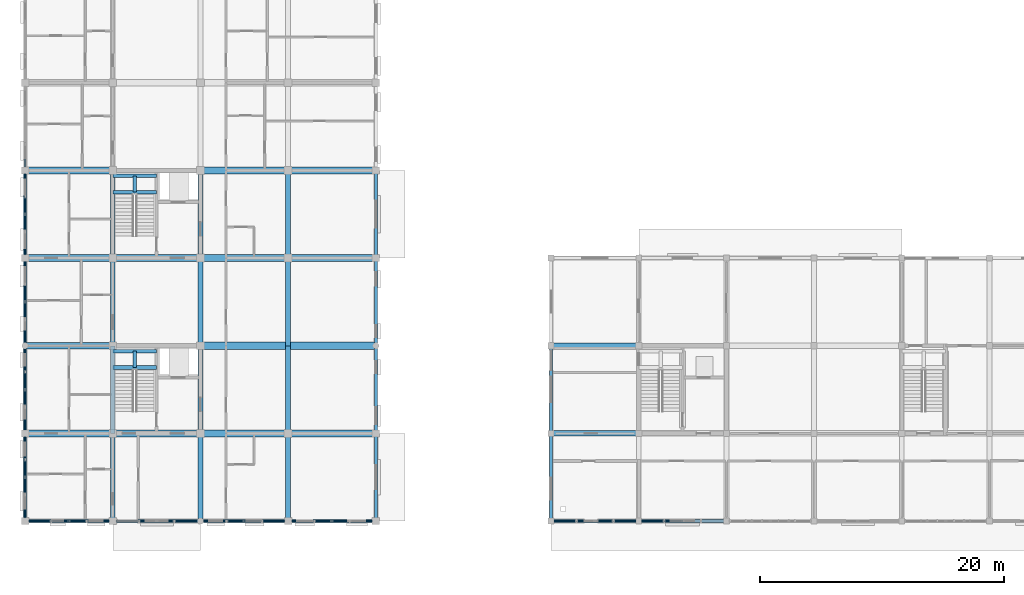
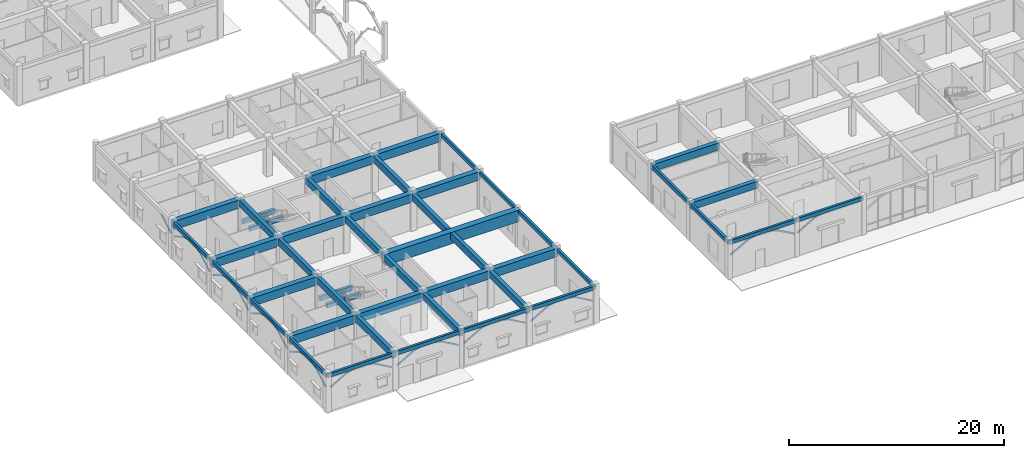
# One storey, part 14 of 138: 49 beams, 39 members.
"""IFC4 building model written with IfcOpenShell, lengths in metres."""

import ifcopenshell
import ifcopenshell.guid

model = None  # the IFC model being written
_history = None  # IfcOwnerHistory: only IFC2X3 demands one
_inside = {}  # id of a spatial element -> (the spatial element, [elements in it])
_under = {}  # id of a project, library or spatial element -> (it, [spatial elements below it])
_declared = {}  # id of a project -> (the project, [libraries it declares])
_typed = {}  # id of a type object -> (the type object, [elements of that type])
_made_of = {}  # id of a material, layer set ... -> (it, [elements and type objects made of it])


def new_model(schema):
    """Start an empty IFC model of exactly this schema.

    Asked for "IFC4X3", IfcOpenShell would pick the latest addendum, in which some entities
    have other attributes; the version numbers below select the first issue.
    IFC2X3 requires an IfcOwnerHistory on every rooted entity: one is made here for all.
    """
    global model, _history
    if schema == "IFC4X3":
        model = ifcopenshell.file(schema_version=(4, 3, 0, 0))
    else:
        model = ifcopenshell.file(schema=schema)
    _inside.clear()
    _under.clear()
    _declared.clear()
    _typed.clear()
    _made_of.clear()
    _history = None
    if model.schema == "IFC2X3":
        org = make("IfcOrganization", Name="unknown")
        user = make(
            "IfcPersonAndOrganization",
            ThePerson=make("IfcPerson", FamilyName="unknown"),
            TheOrganization=org,
        )
        app = make(
            "IfcApplication",
            ApplicationDeveloper=org,
            Version="unknown",
            ApplicationFullName="unknown",
            ApplicationIdentifier="unknown",
        )
        _history = make(
            "IfcOwnerHistory",
            OwningUser=user,
            OwningApplication=app,
            ChangeAction="ADDED",
            CreationDate=0,
        )
    return model


def make(cls, **values):
    """One entity of the class cls with the attributes given. An attribute that is None is left unset."""
    return model.create_entity(
        cls, **{name: value for name, value in values.items() if value is not None}
    )


def rooted(cls, **values):
    """An entity with a GlobalId (a new one), such as an element, a storey or a relation."""
    return make(cls, GlobalId=ifcopenshell.guid.new(), OwnerHistory=_history, **values)


def si_unit(unit_type, name, prefix=None):
    """IfcSIUnit, for example si_unit("LENGTHUNIT", "METRE", prefix="MILLI")."""
    return make("IfcSIUnit", UnitType=unit_type, Prefix=prefix, Name=name)


def assignment(units):
    """IfcUnitAssignment: the units of a project."""
    return None if units is None else make("IfcUnitAssignment", Units=units)


def point(xyz):
    """IfcCartesianPoint."""
    return None if xyz is None else make("IfcCartesianPoint", Coordinates=xyz)


def direction(xyz):
    """IfcDirection."""
    return None if xyz is None else make("IfcDirection", DirectionRatios=xyz)


def frame(location, z_axis=None, x_axis=None):
    """IfcAxis2Placement3D, a coordinate frame: its origin and axes. An axis left out is left unset."""
    return make(
        "IfcAxis2Placement3D",
        Location=point(location),
        Axis=direction(z_axis),
        RefDirection=direction(x_axis),
    )


def frame_2d(location, x_axis=None):
    """IfcAxis2Placement2D, a coordinate frame in the plane: its origin and x axis."""
    return make(
        "IfcAxis2Placement2D", Location=point(location), RefDirection=direction(x_axis)
    )


def origin():
    """The frame at (0, 0, 0) with its axes left unset."""
    return frame((0.0, 0.0, 0.0))


def origin_2d():
    """The frame at (0, 0) in the plane with its x axis left unset."""
    return frame_2d((0.0, 0.0))


def place(relative_to, where):
    """IfcLocalPlacement: puts the frame where relative to a parent placement (None: the world)."""
    return make(
        "IfcLocalPlacement", PlacementRelTo=relative_to, RelativePlacement=where
    )


def context(
    kind, dimensions, precision=None, world=None, true_north=None, identifier=None
):
    """IfcGeometricRepresentationContext, for example the 3D "Model" context."""
    return make(
        "IfcGeometricRepresentationContext",
        ContextIdentifier=identifier,
        ContextType=kind,
        CoordinateSpaceDimension=dimensions,
        Precision=precision,
        WorldCoordinateSystem=world,
        TrueNorth=true_north,
    )


def subcontext(parent, identifier, kind, view, scale=None):
    """IfcGeometricRepresentationSubContext, for example "Body" below "Model"."""
    return make(
        "IfcGeometricRepresentationSubContext",
        ContextIdentifier=identifier,
        ContextType=kind,
        ParentContext=parent,
        TargetScale=scale,
        TargetView=view,
    )


def project(units=None, contexts=None):
    """IfcProject with its units and contexts."""
    return rooted(
        "IfcProject",
        Name="project",
        RepresentationContexts=contexts,
        UnitsInContext=assignment(units),
    )


def spatial(cls, under=None, at=None, **own):
    """A site, building, storey or space (cls), placed at a placement, below another one or the project."""
    s = rooted(cls, ObjectPlacement=at, **own)
    if under is not None:
        _under.setdefault(under.id(), (under, []))[1].append(s)
    return s


def profile(cls, at=None, kind="AREA", **sizes):
    """A parametric profile (cls). Its sizes go by their IFC names, for example OverallWidth=200.0."""
    return make(cls, ProfileType=kind, Position=at, **sizes)


def rectangle(**sizes):
    """IfcRectangleProfileDef."""
    return profile("IfcRectangleProfileDef", **sizes)


def hollow_rectangle(**sizes):
    """IfcRectangleHollowProfileDef."""
    return profile("IfcRectangleHollowProfileDef", **sizes)


def extrude(swept, where, along, depth):
    """IfcExtrudedAreaSolid: the profile swept, set in the frame where, extruded along a direction by depth."""
    return make(
        "IfcExtrudedAreaSolid",
        SweptArea=swept,
        Position=where,
        ExtrudedDirection=direction(along),
        Depth=depth,
    )


def shape(context_of_items, identifier, shape_type, items):
    """IfcShapeRepresentation: the items that make up one representation, for example the "Body"."""
    return make(
        "IfcShapeRepresentation",
        ContextOfItems=context_of_items,
        RepresentationIdentifier=identifier,
        RepresentationType=shape_type,
        Items=items,
    )


def material(Name=None, Category=None):
    """IfcMaterial."""
    return make("IfcMaterial", Name=Name, Category=Category)


def material_profile(
    of_material, cross_section, Name=None, Category=None, Priority=None
):
    """IfcMaterialProfile: a cross section and its material."""
    return make(
        "IfcMaterialProfile",
        Name=Name,
        Material=of_material,
        Profile=cross_section,
        Priority=Priority,
        Category=Category,
    )


def profile_set(profiles, Name=None, composite=None):
    """IfcMaterialProfileSet."""
    return make(
        "IfcMaterialProfileSet",
        Name=Name,
        MaterialProfiles=profiles,
        CompositeProfile=composite,
    )


def made_of(thing, what):
    """Note that an element or type object is made of a material, layer set ...; save() writes the relation."""
    if what is not None:
        _made_of.setdefault(what.id(), (what, []))[1].append(thing)
    return thing


def type_object(cls, material=None, **own):
    """A type object (cls), such as IfcWallType, which elements share."""
    return made_of(rooted(cls, **own), material)


def element(
    cls,
    number,
    at=None,
    inside=None,
    cuts=None,
    type_object=None,
    material=None,
    context=None,
    identifier="Body",
    shape_type=None,
    held_by="IfcProductDefinitionShape",
    body=None,
    shapes=None,
    **own,
):
    """One element of the class cls, such as IfcWall. Its Tag is "e" and its number.

    at: its placement. inside: the storey or other place that contains it. cuts: it is an
    opening in that element (IfcRelVoidsElement). A single representation is given by context,
    identifier, shape_type and body (its items); several are given by shapes. held_by: the class
    of the entity that holds the representations. save() writes the other relations.
    """
    e = rooted(cls, Tag="e%d" % number, ObjectPlacement=at, **own)
    if body is not None:
        shapes = [shape(context, identifier, shape_type, body)]
    if shapes is not None:
        e.Representation = make(held_by, Representations=shapes)
    if inside is not None:
        _inside.setdefault(inside.id(), (inside, []))[1].append(e)
    if cuts is not None:
        rooted(
            "IfcRelVoidsElement", RelatingBuildingElement=cuts, RelatedOpeningElement=e
        )
    if type_object is not None:
        _typed.setdefault(type_object.id(), (type_object, []))[1].append(e)
    return made_of(e, material)


def aggregate(whole, parts):
    """IfcRelAggregates: a whole, such as a stair, and the parts it consists of."""
    return rooted("IfcRelAggregates", RelatingObject=whole, RelatedObjects=parts)


def save(model, path):
    """Write the relations noted so far, then the file.

    IfcRelAggregates (storeys below a building ...), IfcRelContainedInSpatialStructure (elements
    in a storey), IfcRelDefinesByType, IfcRelAssociatesMaterial and IfcRelDeclares: one each for
    every whole, place, type object, material and project.
    """
    for whole, parts in _under.values():
        aggregate(whole, parts)
    for where, things in _inside.values():
        rooted(
            "IfcRelContainedInSpatialStructure",
            RelatedElements=things,
            RelatingStructure=where,
        )
    for kind, things in _typed.values():
        rooted("IfcRelDefinesByType", RelatedObjects=things, RelatingType=kind)
    for what, things in _made_of.values():
        rooted("IfcRelAssociatesMaterial", RelatedObjects=things, RelatingMaterial=what)
    for by, libraries in _declared.values():
        rooted("IfcRelDeclares", RelatingContext=by, RelatedDefinitions=libraries)
    model.write(path)


model = new_model("IFC4")

# Units and contexts
model_context = context("Model", 3, precision=1e-05, world=origin(), true_north=direction((0.0, 1.0)))
body_context = subcontext(model_context, "Body", "Model", "MODEL_VIEW")
ifc_project = project(units=[si_unit("LENGTHUNIT", "METRE"), si_unit("AREAUNIT", "SQUARE_METRE"), si_unit("VOLUMEUNIT", "CUBIC_METRE"), si_unit("PLANEANGLEUNIT", "RADIAN"), si_unit("MASSUNIT", "GRAM", prefix="KILO"), si_unit("THERMODYNAMICTEMPERATUREUNIT", "KELVIN"), si_unit("POWERUNIT", "WATT")], contexts=[model_context])

# Site, building, storey
site_placement = place(None, origin())
site = spatial("IfcSite", under=ifc_project, at=site_placement, CompositionType="ELEMENT")
building_placement = place(site_placement, origin())
building = spatial("IfcBuilding", under=site, at=building_placement, Name="Tavuni Mirador Residences", CompositionType="ELEMENT")
storey_placement = place(building_placement, origin())
storey = spatial("IfcBuildingStorey", under=building, at=storey_placement, Name="L00", CompositionType="ELEMENT", Elevation=0.0)

# Beams
ifc_material_1 = material(Name="Precast concrete C40/50", Category="concrete")
ifc_material_profile_1 = material_profile(ifc_material_1, rectangle(XDim=0.300048828125, YDim=0.5, at=origin_2d()), Name="PC 300x500", Category="concrete")
ifc_profile_set_1 = profile_set([ifc_material_profile_1], Name="Precast concrete C40/50")
beam_type_1 = type_object("IfcBeamType", Name="BT-B500", PredefinedType="BEAM", material=ifc_profile_set_1)
for number, where, z_axis, x_axis, name in (
    (1, (10.800048828125, 19.820068359375, 1.820068359375), (1.0, 0.0, 0.0), (0.0, 1.0, 0.0), "HLB1-C1-L00"),
    (2, (10.800048828125, 21.14990234375, 1.820068359375), (1.0, 0.0, 0.0), (0.0, 1.0, 0.0), "HLB2-C1-L00"),
):
    element("IfcBeam", number, at=place(storey_placement, frame(where, z_axis=z_axis, x_axis=x_axis)), inside=storey, type_object=beam_type_1, Name=name, PredefinedType="BEAM", context=body_context, shape_type="SweptSolid", body=[
        extrude(rectangle(XDim=0.300048828125, YDim=0.5, at=origin_2d()), origin(), (0.0, 0.0, 1.0), 3.599853515625),
    ])
beam_1_placement = place(storey_placement, frame((12.60009765625, 19.820068359375, 1.820068359375), z_axis=(0.0, 1.0, 0.0), x_axis=(-1.0, 0.0, 0.0)))
element("IfcBeam", 3, at=beam_1_placement, inside=storey, type_object=beam_type_1, Name="HLB3-C1-L00", PredefinedType="BEAM", context=body_context, shape_type="SweptSolid", body=[
    extrude(rectangle(XDim=0.300048828125, YDim=0.5, at=origin_2d()), origin(), (0.0, 0.0, 1.0), 1.329833984375),
])
for number, where, z_axis, x_axis, name in (
    (4, (10.800048828125, 34.219970703125, 1.820068359375), (1.0, 0.0, 0.0), (0.0, 1.0, 0.0), "HLB1-C2-L00"),
    (5, (10.800048828125, 35.550048828125, 1.820068359375), (1.0, 0.0, 0.0), (0.0, 1.0, 0.0), "HLB2-C2-L00"),
):
    element("IfcBeam", number, at=place(storey_placement, frame(where, z_axis=z_axis, x_axis=x_axis)), inside=storey, type_object=beam_type_1, Name=name, PredefinedType="BEAM", context=body_context, shape_type="SweptSolid", body=[
        extrude(rectangle(XDim=0.300048828125, YDim=0.5, at=origin_2d()), origin(), (0.0, 0.0, 1.0), 3.599853515625),
    ])
beam_2_placement = place(storey_placement, frame((12.60009765625, 34.219970703125, 1.820068359375), z_axis=(0.0, 1.0, 0.0), x_axis=(-1.0, 0.0, 0.0)))
element("IfcBeam", 6, at=beam_2_placement, inside=storey, type_object=beam_type_1, Name="HLB3-C2-L00", PredefinedType="BEAM", context=body_context, shape_type="SweptSolid", body=[
    extrude(rectangle(XDim=0.300048828125, YDim=0.5, at=origin_2d()), origin(), (0.0, 0.0, 1.0), 1.330078125),
])
ifc_material_profile_2 = material_profile(ifc_material_1, rectangle(XDim=0.39990234375, YDim=0.75, at=origin_2d()), Name="RC 400x750", Category="concrete")
ifc_profile_set_2 = profile_set([ifc_material_profile_2], Name="Precast concrete C40/50")
beam_type_2 = type_object("IfcBeamType", Name="BT-G750", PredefinedType="USERDEFINED", material=ifc_profile_set_2)
beam_3_placement = place(storey_placement, frame((10.800048828125, 7.199951171875, 3.844970703125), z_axis=(0.0, 1.0, 0.0), x_axis=(-1.0, 0.0, 0.0)))
element("IfcBeam", 7, at=beam_3_placement, inside=storey, type_object=beam_type_2, Name="BMY-BLK-A-L00-01-00", ObjectType="GIRDER", PredefinedType="USERDEFINED", context=body_context, shape_type="SweptSolid", body=[
    extrude(rectangle(XDim=0.39990234375, YDim=0.75, at=origin_2d()), origin(), (0.0, 0.0, 1.0), 7.199951171875),
])
beam_4_placement = place(storey_placement, frame((10.800048828125, 14.39990234375, 3.844970703125), z_axis=(0.0, 1.0, 0.0), x_axis=(-1.0, 0.0, 0.0)))
element("IfcBeam", 8, at=beam_4_placement, inside=storey, type_object=beam_type_2, Name="BMY-BLK-A-L00-01-01", ObjectType="GIRDER", PredefinedType="USERDEFINED", context=body_context, shape_type="SweptSolid", body=[
    extrude(rectangle(XDim=0.39990234375, YDim=0.75, at=origin_2d()), origin(), (0.0, 0.0, 1.0), 7.2001953125),
])
for number, where, z_axis, x_axis, name in (
    (9, (10.800048828125, 21.60009765625, 3.844970703125), (0.0, 1.0, 0.0), (-1.0, 0.0, 0.0), "BMY-BLK-A-L00-01-02"),
    (10, (10.800048828125, 28.800048828125, 3.844970703125), (0.0, 1.0, 0.0), (-1.0, 0.0, 0.0), "BMY-BLK-A-L00-01-03"),
    (11, (18.0, 7.199951171875, 3.844970703125), (0.0, 1.0, 0.0), (-1.0, 0.0, 0.0), "BMY-BLK-A-L00-02-00"),
):
    element("IfcBeam", number, at=place(storey_placement, frame(where, z_axis=z_axis, x_axis=x_axis)), inside=storey, type_object=beam_type_2, Name=name, ObjectType="GIRDER", PredefinedType="USERDEFINED", context=body_context, shape_type="SweptSolid", body=[
        extrude(rectangle(XDim=0.39990234375, YDim=0.75, at=origin_2d()), origin(), (0.0, 0.0, 1.0), 7.199951171875),
    ])
beam_5_placement = place(storey_placement, frame((18.0, 14.39990234375, 3.844970703125), z_axis=(0.0, 1.0, 0.0), x_axis=(-1.0, 0.0, 0.0)))
element("IfcBeam", 12, at=beam_5_placement, inside=storey, type_object=beam_type_2, Name="BMY-BLK-A-L00-02-01", ObjectType="GIRDER", PredefinedType="USERDEFINED", context=body_context, shape_type="SweptSolid", body=[
    extrude(rectangle(XDim=0.39990234375, YDim=0.75, at=origin_2d()), origin(), (0.0, 0.0, 1.0), 7.2001953125),
])
for number, where, z_axis, x_axis, name in (
    (13, (18.0, 21.60009765625, 3.844970703125), (0.0, 1.0, 0.0), (-1.0, 0.0, 0.0), "BMY-BLK-A-L00-02-02"),
    (14, (18.0, 28.800048828125, 3.844970703125), (0.0, 1.0, 0.0), (-1.0, 0.0, 0.0), "BMY-BLK-A-L00-02-03"),
    (15, (25.199951171875, 7.199951171875, 3.844970703125), (0.0, 1.0, 0.0), (-1.0, 0.0, 0.0), "BMY-BLK-A-L00-03-00"),
):
    element("IfcBeam", number, at=place(storey_placement, frame(where, z_axis=z_axis, x_axis=x_axis)), inside=storey, type_object=beam_type_2, Name=name, ObjectType="GIRDER", PredefinedType="USERDEFINED", context=body_context, shape_type="SweptSolid", body=[
        extrude(rectangle(XDim=0.39990234375, YDim=0.75, at=origin_2d()), origin(), (0.0, 0.0, 1.0), 7.199951171875),
    ])
beam_6_placement = place(storey_placement, frame((25.199951171875, 14.39990234375, 3.844970703125), z_axis=(0.0, 1.0, 0.0), x_axis=(-1.0, 0.0, 0.0)))
element("IfcBeam", 16, at=beam_6_placement, inside=storey, type_object=beam_type_2, Name="BMY-BLK-A-L00-03-01", ObjectType="GIRDER", PredefinedType="USERDEFINED", context=body_context, shape_type="SweptSolid", body=[
    extrude(rectangle(XDim=0.39990234375, YDim=0.75, at=origin_2d()), origin(), (0.0, 0.0, 1.0), 7.2001953125),
])
for number, where, z_axis, x_axis, name in (
    (17, (25.199951171875, 21.60009765625, 3.844970703125), (0.0, 1.0, 0.0), (-1.0, 0.0, 0.0), "BMY-BLK-A-L00-03-02"),
    (18, (25.199951171875, 28.800048828125, 3.844970703125), (0.0, 1.0, 0.0), (-1.0, 0.0, 0.0), "BMY-BLK-A-L00-03-03"),
):
    element("IfcBeam", number, at=place(storey_placement, frame(where, z_axis=z_axis, x_axis=x_axis)), inside=storey, type_object=beam_type_2, Name=name, ObjectType="GIRDER", PredefinedType="USERDEFINED", context=body_context, shape_type="SweptSolid", body=[
        extrude(rectangle(XDim=0.39990234375, YDim=0.75, at=origin_2d()), origin(), (0.0, 0.0, 1.0), 7.199951171875),
    ])
ifc_material_profile_3 = material_profile(ifc_material_1, rectangle(XDim=0.449951171875, YDim=0.800048828125, at=origin_2d()), Name="RC 450x800", Category="concrete")
ifc_profile_set_3 = profile_set([ifc_material_profile_3], Name="Precast concrete C40/50")
beam_type_3 = type_object("IfcBeamType", Name="BT-G800", PredefinedType="USERDEFINED", material=ifc_profile_set_3)
for number, where, z_axis, x_axis, name in (
    (19, (46.800048828125, 14.39990234375, 3.860107421875), (1.0, 0.0, 0.0), (0.0, 1.0, 0.0), "BMX-PAV-SHOP-L00-00-01"),
    (20, (46.800048828125, 21.60009765625, 3.860107421875), (1.0, 0.0, 0.0), (0.0, 1.0, 0.0), "BMX-PAV-SHOP-L00-00-02"),
):
    element("IfcBeam", number, at=place(storey_placement, frame(where, z_axis=z_axis, x_axis=x_axis)), inside=storey, type_object=beam_type_3, Name=name, ObjectType="GIRDER", PredefinedType="USERDEFINED", context=body_context, shape_type="SweptSolid", body=[
        extrude(rectangle(XDim=0.449951171875, YDim=0.800048828125, at=origin_2d()), origin(), (0.0, 0.0, 1.0), 7.199951171875),
    ])
ifc_material_2 = material(Name="In-situ concrete C35/45", Category="concrete")
ifc_material_profile_4 = material_profile(ifc_material_2, rectangle(XDim=0.550048828125, YDim=0.949951171875, at=origin_2d()), Name="RC 550x950", Category="concrete")
ifc_profile_set_4 = profile_set([ifc_material_profile_4], Name="In-situ concrete C35/45")
beam_type_4 = type_object("IfcBeamType", Name="BT-G950", PredefinedType="USERDEFINED", material=ifc_profile_set_4)
for number, where, z_axis, x_axis, name in (
    (21, (3.60009765625, 14.39990234375, 3.7451171875), (1.0, 0.0, 0.0), (0.0, 1.0, 0.0), "BMX-BLK-A-L00-00-01"),
    (22, (10.800048828125, 14.39990234375, 3.7451171875), (1.0, 0.0, 0.0), (0.0, 1.0, 0.0), "BMX-BLK-A-L00-01-01"),
    (23, (18.0, 14.39990234375, 3.7451171875), (1.0, 0.0, 0.0), (0.0, 1.0, 0.0), "BMX-BLK-A-L00-02-01"),
    (24, (25.199951171875, 14.39990234375, 3.7451171875), (1.0, 0.0, 0.0), (0.0, 1.0, 0.0), "BMX-BLK-A-L00-03-01"),
    (25, (3.60009765625, 21.60009765625, 3.7451171875), (1.0, 0.0, 0.0), (0.0, 1.0, 0.0), "BMX-BLK-A-L00-00-02"),
    (26, (3.60009765625, 28.800048828125, 3.7451171875), (1.0, 0.0, 0.0), (0.0, 1.0, 0.0), "BMX-BLK-A-L00-00-03"),
    (27, (10.800048828125, 28.800048828125, 3.7451171875), (1.0, 0.0, 0.0), (0.0, 1.0, 0.0), "BMX-BLK-A-L00-01-03"),
    (28, (18.0, 28.800048828125, 3.7451171875), (1.0, 0.0, 0.0), (0.0, 1.0, 0.0), "BMX-BLK-A-L00-02-03"),
    (29, (25.199951171875, 28.800048828125, 3.7451171875), (1.0, 0.0, 0.0), (0.0, 1.0, 0.0), "BMX-BLK-A-L00-03-03"),
    (30, (3.60009765625, 36.0, 3.7451171875), (1.0, 0.0, 0.0), (0.0, 1.0, 0.0), "BMX-BLK-A-L00-00-04"),
    (31, (18.0, 36.0, 3.7451171875), (1.0, 0.0, 0.0), (0.0, 1.0, 0.0), "BMX-BLK-A-L00-02-04"),
    (32, (25.199951171875, 36.0, 3.7451171875), (1.0, 0.0, 0.0), (0.0, 1.0, 0.0), "BMX-BLK-A-L00-03-04"),
):
    element("IfcBeam", number, at=place(storey_placement, frame(where, z_axis=z_axis, x_axis=x_axis)), inside=storey, type_object=beam_type_4, Name=name, ObjectType="GIRDER", PredefinedType="USERDEFINED", context=body_context, shape_type="SweptSolid", body=[
        extrude(rectangle(XDim=0.550048828125, YDim=0.949951171875, at=origin_2d()), origin(), (0.0, 0.0, 1.0), 7.199951171875),
    ])
ifc_material_profile_5 = material_profile(ifc_material_1, rectangle(XDim=0.25, YDim=0.419921875, at=origin_2d()), Name="PC 250x420", Category="concrete")
ifc_profile_set_5 = profile_set([ifc_material_profile_5], Name="Precast concrete C40/50")
beam_type_5 = type_object("IfcBeamType", Name="BT-SP420", PredefinedType="SPANDREL", material=ifc_profile_set_5)
for number, where, z_axis, x_axis, name in (
    (33, (3.60009765625, 7.199951171875, 4.010009765625), (1.0, 0.0, 0.0), (0.0, 1.0, 0.0), "BMX-BLK-A-L00-00-00"),
    (34, (10.800048828125, 7.199951171875, 4.010009765625), (1.0, 0.0, 0.0), (0.0, 1.0, 0.0), "BMX-BLK-A-L00-01-00"),
    (35, (18.0, 7.199951171875, 4.010009765625), (1.0, 0.0, 0.0), (0.0, 1.0, 0.0), "BMX-BLK-A-L00-02-00"),
    (36, (25.199951171875, 7.199951171875, 4.010009765625), (1.0, 0.0, 0.0), (0.0, 1.0, 0.0), "BMX-BLK-A-L00-03-00"),
    (37, (3.60009765625, 7.199951171875, 4.010009765625), (0.0, 1.0, 0.0), (-1.0, 0.0, 0.0), "BMY-BLK-A-L00-00-00"),
):
    element("IfcBeam", number, at=place(storey_placement, frame(where, z_axis=z_axis, x_axis=x_axis)), inside=storey, type_object=beam_type_5, Name=name, PredefinedType="SPANDREL", context=body_context, shape_type="SweptSolid", body=[
        extrude(rectangle(XDim=0.25, YDim=0.419921875, at=origin_2d()), origin(), (0.0, 0.0, 1.0), 7.199951171875),
    ])
beam_7_placement = place(storey_placement, frame((3.60009765625, 14.39990234375, 4.010009765625), z_axis=(0.0, 1.0, 0.0), x_axis=(-1.0, 0.0, 0.0)))
element("IfcBeam", 38, at=beam_7_placement, inside=storey, type_object=beam_type_5, Name="BMY-BLK-A-L00-00-01", PredefinedType="SPANDREL", context=body_context, shape_type="SweptSolid", body=[
    extrude(rectangle(XDim=0.25, YDim=0.419921875, at=origin_2d()), origin(), (0.0, 0.0, 1.0), 7.2001953125),
])
for number, where, z_axis, x_axis, name in (
    (39, (3.60009765625, 21.60009765625, 4.010009765625), (0.0, 1.0, 0.0), (-1.0, 0.0, 0.0), "BMY-BLK-A-L00-00-02"),
    (40, (3.60009765625, 28.800048828125, 4.010009765625), (0.0, 1.0, 0.0), (-1.0, 0.0, 0.0), "BMY-BLK-A-L00-00-03"),
    (41, (32.39990234375, 7.199951171875, 4.010009765625), (0.0, 1.0, 0.0), (-1.0, 0.0, 0.0), "BMY-BLK-A-L00-04-00"),
):
    element("IfcBeam", number, at=place(storey_placement, frame(where, z_axis=z_axis, x_axis=x_axis)), inside=storey, type_object=beam_type_5, Name=name, PredefinedType="SPANDREL", context=body_context, shape_type="SweptSolid", body=[
        extrude(rectangle(XDim=0.25, YDim=0.419921875, at=origin_2d()), origin(), (0.0, 0.0, 1.0), 7.199951171875),
    ])
beam_8_placement = place(storey_placement, frame((32.39990234375, 14.39990234375, 4.010009765625), z_axis=(0.0, 1.0, 0.0), x_axis=(-1.0, 0.0, 0.0)))
element("IfcBeam", 42, at=beam_8_placement, inside=storey, type_object=beam_type_5, Name="BMY-BLK-A-L00-04-01", PredefinedType="SPANDREL", context=body_context, shape_type="SweptSolid", body=[
    extrude(rectangle(XDim=0.25, YDim=0.419921875, at=origin_2d()), origin(), (0.0, 0.0, 1.0), 7.2001953125),
])
for number, where, z_axis, x_axis, name in (
    (43, (32.39990234375, 21.60009765625, 4.010009765625), (0.0, 1.0, 0.0), (-1.0, 0.0, 0.0), "BMY-BLK-A-L00-04-02"),
    (44, (32.39990234375, 28.800048828125, 4.010009765625), (0.0, 1.0, 0.0), (-1.0, 0.0, 0.0), "BMY-BLK-A-L00-04-03"),
    (45, (46.800048828125, 7.199951171875, 4.050048828125), (1.0, 0.0, 0.0), (0.0, 1.0, 0.0), "BMX-PAV-SHOP-L00-00-00"),
    (46, (54.0, 7.199951171875, 4.050048828125), (1.0, 0.0, 0.0), (0.0, 1.0, 0.0), "BMX-PAV-SHOP-L00-01-00"),
    (47, (46.800048828125, 7.199951171875, 4.050048828125), (0.0, 1.0, 0.0), (-1.0, 0.0, 0.0), "BMY-PAV-SHOP-L00-00-00"),
):
    element("IfcBeam", number, at=place(storey_placement, frame(where, z_axis=z_axis, x_axis=x_axis)), inside=storey, type_object=beam_type_5, Name=name, PredefinedType="SPANDREL", context=body_context, shape_type="SweptSolid", body=[
        extrude(rectangle(XDim=0.25, YDim=0.419921875, at=origin_2d()), origin(), (0.0, 0.0, 1.0), 7.199951171875),
    ])
beam_9_placement = place(storey_placement, frame((46.800048828125, 14.39990234375, 4.050048828125), z_axis=(0.0, 1.0, 0.0), x_axis=(-1.0, 0.0, 0.0)))
element("IfcBeam", 48, at=beam_9_placement, inside=storey, type_object=beam_type_5, Name="BMY-PAV-SHOP-L00-00-01", PredefinedType="SPANDREL", context=body_context, shape_type="SweptSolid", body=[
    extrude(rectangle(XDim=0.25, YDim=0.419921875, at=origin_2d()), origin(), (0.0, 0.0, 1.0), 7.2001953125),
])
ifc_material_profile_6 = material_profile(ifc_material_2, rectangle(XDim=0.64990234375, YDim=1.300048828125, at=origin_2d()), Name="RC 650x1300", Category="concrete")
ifc_profile_set_6 = profile_set([ifc_material_profile_6], Name="In-situ concrete C35/45")
beam_type_6 = type_object("IfcBeamType", Name="BT-TG1300", PredefinedType="USERDEFINED", material=ifc_profile_set_6)
beam_10_placement = place(storey_placement, frame((18.0, 21.60009765625, 3.570068359375), z_axis=(1.0, 0.0, 0.0), x_axis=(0.0, 1.0, 0.0)))
element("IfcBeam", 49, at=beam_10_placement, inside=storey, type_object=beam_type_6, Name="Transfer girder TG-A1", ObjectType="GIRDER", PredefinedType="USERDEFINED", context=body_context, shape_type="SweptSolid", body=[
    extrude(rectangle(XDim=0.64990234375, YDim=1.300048828125, at=origin_2d()), origin(), (0.0, 0.0, 1.0), 14.39990234375),
])

# Members
ifc_material_3 = material(Name="Structural steel S355", Category="steel")
ifc_material_profile_7 = material_profile(ifc_material_3, hollow_rectangle(XDim=0.10009765625, YDim=0.14990234375, WallThickness=0.008056640625, at=origin_2d()), Name="RHS 150x100x8.0", Category="steel")
ifc_profile_set_7 = profile_set([ifc_material_profile_7], Name="Structural steel S355")
member_type_1 = type_object("IfcMemberType", Name="MT-BR-RHS150", PredefinedType="BRACE", material=ifc_profile_set_7)
member_1_placement = place(storey_placement, frame((3.60009765625, 7.5, 2.550048828125), z_axis=(0.0, 0.869188510348, 0.494480872712), x_axis=(-1.0, 0.0, 0.0)))
element("IfcMember", 50, at=member_1_placement, inside=storey, type_object=member_type_1, Name="ARCH-BLKA-W-00-H1", PredefinedType="BRACE", context=body_context, shape_type="SweptSolid", body=[
    extrude(hollow_rectangle(XDim=0.10009765625, YDim=0.14990234375, WallThickness=0.008056640625, at=origin_2d()), origin(), (0.0, 0.0, 1.0), 2.1259765625),
])
member_2_placement = place(storey_placement, frame((3.60009765625, 9.347900390625, 3.601318359375), z_axis=(0.0, 0.962603472858, 0.270914292798), x_axis=(-1.0, 0.0, 0.0)))
element("IfcMember", 51, at=member_2_placement, inside=storey, type_object=member_type_1, Name="ARCH-BLKA-W-00-S1", PredefinedType="BRACE", context=body_context, shape_type="SweptSolid", body=[
    extrude(hollow_rectangle(XDim=0.10009765625, YDim=0.14990234375, WallThickness=0.008056640625, at=origin_2d()), origin(), (0.0, 0.0, 1.0), 1.508544921875),
])
member_3_placement = place(storey_placement, frame((3.60009765625, 10.800048828125, 4.010009765625), z_axis=(0.0, 0.962591592164, -0.270956503327), x_axis=(-1.0, 0.0, 0.0)))
element("IfcMember", 52, at=member_3_placement, inside=storey, type_object=member_type_1, Name="ARCH-BLKA-W-00-S2", PredefinedType="BRACE", context=body_context, shape_type="SweptSolid", body=[
    extrude(hollow_rectangle(XDim=0.10009765625, YDim=0.14990234375, WallThickness=0.008056640625, at=origin_2d()), origin(), (0.0, 0.0, 1.0), 1.50830078125),
])
for number, where, z_axis, x_axis, name in (
    (53, (3.60009765625, 12.251953125, 3.601318359375), (0.0, 0.869216584681, -0.494431520956), (-1.0, 0.0, 0.0), "ARCH-BLKA-W-00-H2"),
    (54, (3.60009765625, 14.699951171875, 2.550048828125), (0.0, 0.869216584681, 0.494431520956), (-1.0, 0.0, 0.0), "ARCH-BLKA-W-01-H1"),
):
    element("IfcMember", number, at=place(storey_placement, frame(where, z_axis=z_axis, x_axis=x_axis)), inside=storey, type_object=member_type_1, Name=name, PredefinedType="BRACE", context=body_context, shape_type="SweptSolid", body=[
        extrude(hollow_rectangle(XDim=0.10009765625, YDim=0.14990234375, WallThickness=0.008056640625, at=origin_2d()), origin(), (0.0, 0.0, 1.0), 2.126220703125),
    ])
for number, where, z_axis, x_axis, name in (
    (55, (3.60009765625, 16.548095703125, 3.601318359375), (0.0, 0.962591592164, 0.270956503327), (-1.0, 0.0, 0.0), "ARCH-BLKA-W-01-S1"),
    (56, (3.60009765625, 18.0, 4.010009765625), (0.0, 0.962591592164, -0.270956503327), (-1.0, 0.0, 0.0), "ARCH-BLKA-W-01-S2"),
):
    element("IfcMember", number, at=place(storey_placement, frame(where, z_axis=z_axis, x_axis=x_axis)), inside=storey, type_object=member_type_1, Name=name, PredefinedType="BRACE", context=body_context, shape_type="SweptSolid", body=[
        extrude(hollow_rectangle(XDim=0.10009765625, YDim=0.14990234375, WallThickness=0.008056640625, at=origin_2d()), origin(), (0.0, 0.0, 1.0), 1.50830078125),
    ])
for number, where, z_axis, x_axis, name in (
    (57, (3.60009765625, 19.451904296875, 3.601318359375), (0.0, 0.869216584681, -0.494431520956), (-1.0, 0.0, 0.0), "ARCH-BLKA-W-01-H2"),
    (58, (3.60009765625, 21.89990234375, 2.550048828125), (0.0, 0.869216584681, 0.494431520956), (-1.0, 0.0, 0.0), "ARCH-BLKA-W-02-H1"),
):
    element("IfcMember", number, at=place(storey_placement, frame(where, z_axis=z_axis, x_axis=x_axis)), inside=storey, type_object=member_type_1, Name=name, PredefinedType="BRACE", context=body_context, shape_type="SweptSolid", body=[
        extrude(hollow_rectangle(XDim=0.10009765625, YDim=0.14990234375, WallThickness=0.008056640625, at=origin_2d()), origin(), (0.0, 0.0, 1.0), 2.126220703125),
    ])
member_4_placement = place(storey_placement, frame((3.60009765625, 23.748046875, 3.601318359375), z_axis=(0.0, 0.962591592164, 0.270956503327), x_axis=(-1.0, 0.0, 0.0)))
element("IfcMember", 59, at=member_4_placement, inside=storey, type_object=member_type_1, Name="ARCH-BLKA-W-02-S1", PredefinedType="BRACE", context=body_context, shape_type="SweptSolid", body=[
    extrude(hollow_rectangle(XDim=0.10009765625, YDim=0.14990234375, WallThickness=0.008056640625, at=origin_2d()), origin(), (0.0, 0.0, 1.0), 1.50830078125),
])
member_5_placement = place(storey_placement, frame((3.60009765625, 25.199951171875, 4.010009765625), z_axis=(0.0, 0.962603472858, -0.270914292798), x_axis=(-1.0, 0.0, 0.0)))
element("IfcMember", 60, at=member_5_placement, inside=storey, type_object=member_type_1, Name="ARCH-BLKA-W-02-S2", PredefinedType="BRACE", context=body_context, shape_type="SweptSolid", body=[
    extrude(hollow_rectangle(XDim=0.10009765625, YDim=0.14990234375, WallThickness=0.008056640625, at=origin_2d()), origin(), (0.0, 0.0, 1.0), 1.508544921875),
])
for number, where, z_axis, x_axis, name in (
    (61, (3.60009765625, 26.652099609375, 3.601318359375), (0.0, 0.869188510348, -0.494480872712), (-1.0, 0.0, 0.0), "ARCH-BLKA-W-02-H2"),
    (62, (3.60009765625, 29.10009765625, 2.550048828125), (0.0, 0.869188510348, 0.494480872712), (-1.0, 0.0, 0.0), "ARCH-BLKA-W-03-H1"),
):
    element("IfcMember", number, at=place(storey_placement, frame(where, z_axis=z_axis, x_axis=x_axis)), inside=storey, type_object=member_type_1, Name=name, PredefinedType="BRACE", context=body_context, shape_type="SweptSolid", body=[
        extrude(hollow_rectangle(XDim=0.10009765625, YDim=0.14990234375, WallThickness=0.008056640625, at=origin_2d()), origin(), (0.0, 0.0, 1.0), 2.1259765625),
    ])
member_6_placement = place(storey_placement, frame((3.60009765625, 30.947998046875, 3.601318359375), z_axis=(0.0, 0.962591592164, 0.270956503327), x_axis=(-1.0, 0.0, 0.0)))
element("IfcMember", 63, at=member_6_placement, inside=storey, type_object=member_type_1, Name="ARCH-BLKA-W-03-S1", PredefinedType="BRACE", context=body_context, shape_type="SweptSolid", body=[
    extrude(hollow_rectangle(XDim=0.10009765625, YDim=0.14990234375, WallThickness=0.008056640625, at=origin_2d()), origin(), (0.0, 0.0, 1.0), 1.50830078125),
])
member_7_placement = place(storey_placement, frame((3.60009765625, 32.39990234375, 4.010009765625), z_axis=(0.0, 0.962603472858, -0.270914292798), x_axis=(-1.0, 0.0, 0.0)))
element("IfcMember", 64, at=member_7_placement, inside=storey, type_object=member_type_1, Name="ARCH-BLKA-W-03-S2", PredefinedType="BRACE", context=body_context, shape_type="SweptSolid", body=[
    extrude(hollow_rectangle(XDim=0.10009765625, YDim=0.14990234375, WallThickness=0.008056640625, at=origin_2d()), origin(), (0.0, 0.0, 1.0), 1.508544921875),
])
for number, where, z_axis, x_axis, name in (
    (65, (3.60009765625, 33.85205078125, 3.601318359375), (0.0, 0.869188510348, -0.494480872712), (-1.0, 0.0, 0.0), "ARCH-BLKA-W-03-H2"),
    (66, (3.60009765625, 36.300048828125, 2.550048828125), (0.0, 0.869188510348, 0.494480872712), (-1.0, 0.0, 0.0), "ARCH-BLKA-W-04-H1"),
):
    element("IfcMember", number, at=place(storey_placement, frame(where, z_axis=z_axis, x_axis=x_axis)), inside=storey, type_object=member_type_1, Name=name, PredefinedType="BRACE", context=body_context, shape_type="SweptSolid", body=[
        extrude(hollow_rectangle(XDim=0.10009765625, YDim=0.14990234375, WallThickness=0.008056640625, at=origin_2d()), origin(), (0.0, 0.0, 1.0), 2.1259765625),
    ])
member_8_placement = place(storey_placement, frame((3.89990234375, 7.199951171875, 2.550048828125), z_axis=(0.869216584681, 0.0, 0.494431520956), x_axis=(0.0, 1.0, 0.0)))
element("IfcMember", 67, at=member_8_placement, inside=storey, type_object=member_type_1, Name="ARCH-BLKA-S-00-H1", PredefinedType="BRACE", context=body_context, shape_type="SweptSolid", body=[
    extrude(hollow_rectangle(XDim=0.10009765625, YDim=0.14990234375, WallThickness=0.008056640625, at=origin_2d()), origin(), (0.0, 0.0, 1.0), 2.126220703125),
])
member_9_placement = place(storey_placement, frame((5.748046875, 7.199951171875, 3.601318359375), z_axis=(0.962591592164, 0.0, 0.270956503327), x_axis=(0.0, 1.0, 0.0)))
element("IfcMember", 68, at=member_9_placement, inside=storey, type_object=member_type_1, Name="ARCH-BLKA-S-00-S1", PredefinedType="BRACE", context=body_context, shape_type="SweptSolid", body=[
    extrude(hollow_rectangle(XDim=0.10009765625, YDim=0.14990234375, WallThickness=0.008056640625, at=origin_2d()), origin(), (0.0, 0.0, 1.0), 1.50830078125),
])
member_10_placement = place(storey_placement, frame((7.199951171875, 7.199951171875, 4.010009765625), z_axis=(0.962603472858, 0.0, -0.270914292798), x_axis=(0.0, 1.0, 0.0)))
element("IfcMember", 69, at=member_10_placement, inside=storey, type_object=member_type_1, Name="ARCH-BLKA-S-00-S2", PredefinedType="BRACE", context=body_context, shape_type="SweptSolid", body=[
    extrude(hollow_rectangle(XDim=0.10009765625, YDim=0.14990234375, WallThickness=0.008056640625, at=origin_2d()), origin(), (0.0, 0.0, 1.0), 1.508544921875),
])
for number, where, z_axis, x_axis, name in (
    (70, (8.652099609375, 7.199951171875, 3.601318359375), (0.869188510348, 0.0, -0.494480872712), (0.0, 1.0, 0.0), "ARCH-BLKA-S-00-H2"),
    (71, (11.10009765625, 7.199951171875, 2.550048828125), (0.869188510348, 0.0, 0.494480872712), (0.0, 1.0, 0.0), "ARCH-BLKA-S-01-H1"),
):
    element("IfcMember", number, at=place(storey_placement, frame(where, z_axis=z_axis, x_axis=x_axis)), inside=storey, type_object=member_type_1, Name=name, PredefinedType="BRACE", context=body_context, shape_type="SweptSolid", body=[
        extrude(hollow_rectangle(XDim=0.10009765625, YDim=0.14990234375, WallThickness=0.008056640625, at=origin_2d()), origin(), (0.0, 0.0, 1.0), 2.1259765625),
    ])
member_11_placement = place(storey_placement, frame((12.947998046875, 7.199951171875, 3.601318359375), z_axis=(0.962591592164, 0.0, 0.270956503327), x_axis=(0.0, 1.0, 0.0)))
element("IfcMember", 72, at=member_11_placement, inside=storey, type_object=member_type_1, Name="ARCH-BLKA-S-01-S1", PredefinedType="BRACE", context=body_context, shape_type="SweptSolid", body=[
    extrude(hollow_rectangle(XDim=0.10009765625, YDim=0.14990234375, WallThickness=0.008056640625, at=origin_2d()), origin(), (0.0, 0.0, 1.0), 1.50830078125),
])
member_12_placement = place(storey_placement, frame((14.39990234375, 7.199951171875, 4.010009765625), z_axis=(0.962603472858, 0.0, -0.270914292798), x_axis=(0.0, 1.0, 0.0)))
element("IfcMember", 73, at=member_12_placement, inside=storey, type_object=member_type_1, Name="ARCH-BLKA-S-01-S2", PredefinedType="BRACE", context=body_context, shape_type="SweptSolid", body=[
    extrude(hollow_rectangle(XDim=0.10009765625, YDim=0.14990234375, WallThickness=0.008056640625, at=origin_2d()), origin(), (0.0, 0.0, 1.0), 1.508544921875),
])
for number, where, z_axis, x_axis, name in (
    (74, (15.85205078125, 7.199951171875, 3.601318359375), (0.869188510348, 0.0, -0.494480872712), (0.0, 1.0, 0.0), "ARCH-BLKA-S-01-H2"),
    (75, (18.300048828125, 7.199951171875, 2.550048828125), (0.869188510348, 0.0, 0.494480872712), (0.0, 1.0, 0.0), "ARCH-BLKA-S-02-H1"),
):
    element("IfcMember", number, at=place(storey_placement, frame(where, z_axis=z_axis, x_axis=x_axis)), inside=storey, type_object=member_type_1, Name=name, PredefinedType="BRACE", context=body_context, shape_type="SweptSolid", body=[
        extrude(hollow_rectangle(XDim=0.10009765625, YDim=0.14990234375, WallThickness=0.008056640625, at=origin_2d()), origin(), (0.0, 0.0, 1.0), 2.1259765625),
    ])
member_13_placement = place(storey_placement, frame((20.14794921875, 7.199951171875, 3.601318359375), z_axis=(0.962603472858, 0.0, 0.270914292798), x_axis=(0.0, 1.0, 0.0)))
element("IfcMember", 76, at=member_13_placement, inside=storey, type_object=member_type_1, Name="ARCH-BLKA-S-02-S1", PredefinedType="BRACE", context=body_context, shape_type="SweptSolid", body=[
    extrude(hollow_rectangle(XDim=0.10009765625, YDim=0.14990234375, WallThickness=0.008056640625, at=origin_2d()), origin(), (0.0, 0.0, 1.0), 1.508544921875),
])
member_14_placement = place(storey_placement, frame((21.60009765625, 7.199951171875, 4.010009765625), z_axis=(0.962591592164, 0.0, -0.270956503327), x_axis=(0.0, 1.0, 0.0)))
element("IfcMember", 77, at=member_14_placement, inside=storey, type_object=member_type_1, Name="ARCH-BLKA-S-02-S2", PredefinedType="BRACE", context=body_context, shape_type="SweptSolid", body=[
    extrude(hollow_rectangle(XDim=0.10009765625, YDim=0.14990234375, WallThickness=0.008056640625, at=origin_2d()), origin(), (0.0, 0.0, 1.0), 1.50830078125),
])
for number, where, z_axis, x_axis, name in (
    (78, (23.052001953125, 7.199951171875, 3.601318359375), (0.869188510348, 0.0, -0.494480872712), (0.0, 1.0, 0.0), "ARCH-BLKA-S-02-H2"),
    (79, (25.5, 7.199951171875, 2.550048828125), (0.869188510348, 0.0, 0.494480872712), (0.0, 1.0, 0.0), "ARCH-BLKA-S-03-H1"),
):
    element("IfcMember", number, at=place(storey_placement, frame(where, z_axis=z_axis, x_axis=x_axis)), inside=storey, type_object=member_type_1, Name=name, PredefinedType="BRACE", context=body_context, shape_type="SweptSolid", body=[
        extrude(hollow_rectangle(XDim=0.10009765625, YDim=0.14990234375, WallThickness=0.008056640625, at=origin_2d()), origin(), (0.0, 0.0, 1.0), 2.1259765625),
    ])
member_15_placement = place(storey_placement, frame((27.347900390625, 7.199951171875, 3.601318359375), z_axis=(0.962603472858, 0.0, 0.270914292798), x_axis=(0.0, 1.0, 0.0)))
element("IfcMember", 80, at=member_15_placement, inside=storey, type_object=member_type_1, Name="ARCH-BLKA-S-03-S1", PredefinedType="BRACE", context=body_context, shape_type="SweptSolid", body=[
    extrude(hollow_rectangle(XDim=0.10009765625, YDim=0.14990234375, WallThickness=0.008056640625, at=origin_2d()), origin(), (0.0, 0.0, 1.0), 1.508544921875),
])
member_16_placement = place(storey_placement, frame((28.800048828125, 7.199951171875, 4.010009765625), z_axis=(0.962591592164, 0.0, -0.270956503327), x_axis=(0.0, 1.0, 0.0)))
element("IfcMember", 81, at=member_16_placement, inside=storey, type_object=member_type_1, Name="ARCH-BLKA-S-03-S2", PredefinedType="BRACE", context=body_context, shape_type="SweptSolid", body=[
    extrude(hollow_rectangle(XDim=0.10009765625, YDim=0.14990234375, WallThickness=0.008056640625, at=origin_2d()), origin(), (0.0, 0.0, 1.0), 1.50830078125),
])
member_17_placement = place(storey_placement, frame((30.251953125, 7.199951171875, 3.601318359375), z_axis=(0.869216584681, 0.0, -0.494431520956), x_axis=(0.0, 1.0, 0.0)))
element("IfcMember", 82, at=member_17_placement, inside=storey, type_object=member_type_1, Name="ARCH-BLKA-S-03-H2", PredefinedType="BRACE", context=body_context, shape_type="SweptSolid", body=[
    extrude(hollow_rectangle(XDim=0.10009765625, YDim=0.14990234375, WallThickness=0.008056640625, at=origin_2d()), origin(), (0.0, 0.0, 1.0), 2.126220703125),
])
ifc_material_profile_8 = material_profile(ifc_material_3, hollow_rectangle(XDim=0.10009765625, YDim=0.179931640625, WallThickness=0.008056640625, at=origin_2d()), Name="RHS 180x100x8.0", Category="steel")
ifc_profile_set_8 = profile_set([ifc_material_profile_8], Name="Structural steel S355")
member_type_2 = type_object("IfcMemberType", Name="MT-BR-RHS180", PredefinedType="BRACE", material=ifc_profile_set_8)
member_18_placement = place(storey_placement, frame((46.949951171875, 7.199951171875, 2.550048828125), z_axis=(0.872921377434, 0.0, 0.487860911346), x_axis=(0.0, 1.0, 0.0)))
element("IfcMember", 83, at=member_18_placement, inside=storey, type_object=member_type_2, Name="ARCH-SHOP-S-00-H1", PredefinedType="BRACE", context=body_context, shape_type="SweptSolid", body=[
    extrude(hollow_rectangle(XDim=0.10009765625, YDim=0.179931640625, WallThickness=0.008056640625, at=origin_2d()), origin(), (0.0, 0.0, 1.0), 2.21337890625),
])
member_19_placement = place(storey_placement, frame((48.882080078125, 7.199951171875, 3.6298828125), z_axis=(0.96375516692, 0.0, 0.266788264801), x_axis=(0.0, 1.0, 0.0)))
element("IfcMember", 84, at=member_19_placement, inside=storey, type_object=member_type_2, Name="ARCH-SHOP-S-00-S1", PredefinedType="BRACE", context=body_context, shape_type="SweptSolid", body=[
    extrude(hollow_rectangle(XDim=0.10009765625, YDim=0.179931640625, WallThickness=0.008056640625, at=origin_2d()), origin(), (0.0, 0.0, 1.0), 1.574951171875),
])
member_20_placement = place(storey_placement, frame((50.39990234375, 7.199951171875, 4.050048828125), z_axis=(0.9637661981, 0.0, -0.266748412179), x_axis=(0.0, 1.0, 0.0)))
element("IfcMember", 85, at=member_20_placement, inside=storey, type_object=member_type_2, Name="ARCH-SHOP-S-00-S2", PredefinedType="BRACE", context=body_context, shape_type="SweptSolid", body=[
    extrude(hollow_rectangle(XDim=0.10009765625, YDim=0.179931640625, WallThickness=0.008056640625, at=origin_2d()), origin(), (0.0, 0.0, 1.0), 1.5751953125),
])
for number, where, z_axis, x_axis, name in (
    (86, (51.91796875, 7.199951171875, 3.6298828125), (0.872921377434, 0.0, -0.487860911346), (0.0, 1.0, 0.0), "ARCH-SHOP-S-00-H2"),
    (87, (54.14990234375, 7.199951171875, 2.550048828125), (0.872921377434, 0.0, 0.487860911346), (0.0, 1.0, 0.0), "ARCH-SHOP-S-01-H1"),
):
    element("IfcMember", number, at=place(storey_placement, frame(where, z_axis=z_axis, x_axis=x_axis)), inside=storey, type_object=member_type_2, Name=name, PredefinedType="BRACE", context=body_context, shape_type="SweptSolid", body=[
        extrude(hollow_rectangle(XDim=0.10009765625, YDim=0.179931640625, WallThickness=0.008056640625, at=origin_2d()), origin(), (0.0, 0.0, 1.0), 2.21337890625),
    ])
member_21_placement = place(storey_placement, frame((56.08203125, 7.199951171875, 3.6298828125), z_axis=(0.9637661981, 0.0, 0.266748412179), x_axis=(0.0, 1.0, 0.0)))
element("IfcMember", 88, at=member_21_placement, inside=storey, type_object=member_type_2, Name="ARCH-SHOP-S-01-S1", PredefinedType="BRACE", context=body_context, shape_type="SweptSolid", body=[
    extrude(hollow_rectangle(XDim=0.10009765625, YDim=0.179931640625, WallThickness=0.008056640625, at=origin_2d()), origin(), (0.0, 0.0, 1.0), 1.5751953125),
])

save(model, "model.ifc")
